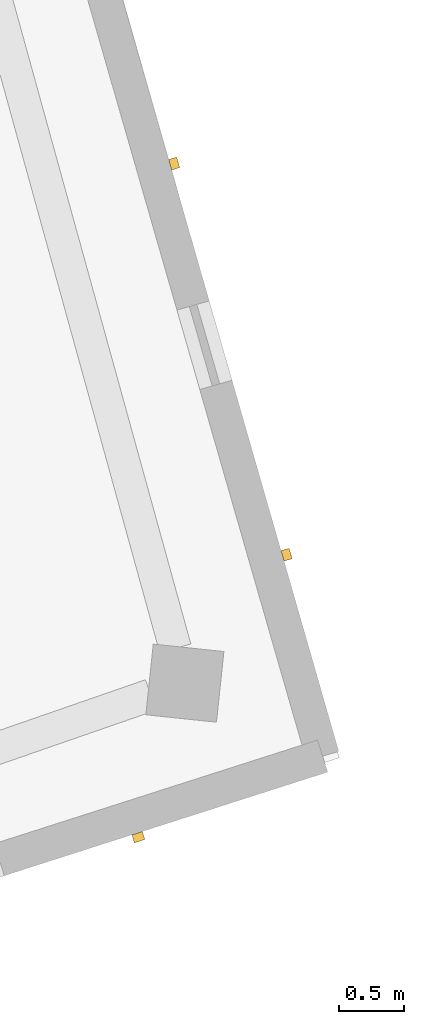
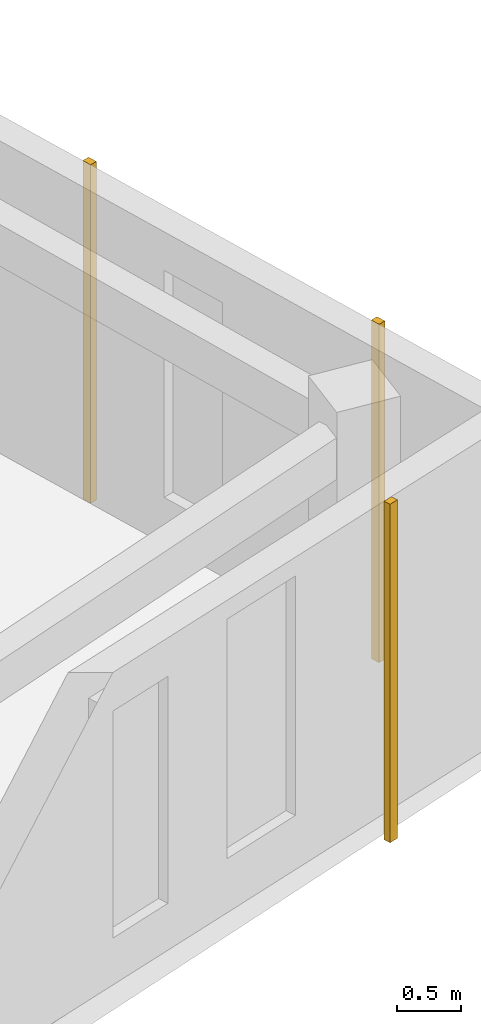
# One storey, part 66 of 68: 3 coverings.
"""IFC4 building model written with IfcOpenShell, lengths in metres."""

from ifc_helpers import new_model, si_unit, direction, frame, origin, origin_2d, place, context, subcontext, project, spatial, rectangle, extrude, material, layer, layer_set, type_object, element, save


model = new_model("IFC4")

# Units and contexts
model_context = context("Model", 3, precision=1e-05, world=origin(), true_north=direction((0.0, 1.0)))
body_context = subcontext(model_context, "Body", "Model", "MODEL_VIEW")
ifc_project = project(units=[si_unit("LENGTHUNIT", "METRE"), si_unit("AREAUNIT", "SQUARE_METRE"), si_unit("VOLUMEUNIT", "CUBIC_METRE"), si_unit("PLANEANGLEUNIT", "RADIAN"), si_unit("MASSUNIT", "GRAM", prefix="KILO")], contexts=[model_context])

# Site, building, storey
site_placement = place(None, origin())
site = spatial("IfcSite", under=ifc_project, at=site_placement, CompositionType="ELEMENT")
building_placement = place(site_placement, origin())
building = spatial("IfcBuilding", under=site, at=building_placement, Name="Kestramere Prow Commons", CompositionType="ELEMENT")
storey_placement = place(building_placement, frame((0.0, 0.0, 18.14990234375)))
storey = spatial("IfcBuildingStorey", under=building, at=storey_placement, Name="L05", CompositionType="ELEMENT", Elevation=18.14990234375)

# Coverings
ifc_material = material(Name="Weathered Zinc-Titanium Standing-Seam Cladding")
ifc_layer = layer(ifc_material, 0.074951171875)
ifc_layer_set = layer_set([ifc_layer], Name="Weathered Zinc-Titanium Standing-Seam Cladding")
covering_type = type_object("IfcCoveringType", Name="COV-CLAD-SEAM", PredefinedType="CLADDING", material=ifc_layer_set)
for number, where, z_axis, x_axis, name in (
    (1, (164.437255859375, 96.159423828125, -0.25), (0.0, 0.0, 1.0), (0.27631844013, -0.961066136977, 0.0), "EW-B-L05-PRW-N Standing-Seam Rib 9"),
    (2, (165.307861328125, 93.131103515625, -0.25), (0.0, 0.0, 1.0), (0.27631844013, -0.961066136977, 0.0), "EW-B-L05-PRW-N Standing-Seam Rib 11"),
    (3, (164.16015625, 90.94384765625, -0.25), (0.0, 0.0, 1.0), (-0.952283464374, -0.305215011884, 0.0), "EW-B-L05-PRW-S Standing-Seam Rib 1"),
):
    element("IfcCovering", number, at=place(storey_placement, frame(where, z_axis=z_axis, x_axis=x_axis)), inside=storey, type_object=covering_type, Name=name, PredefinedType="CLADDING", context=body_context, shape_type="SweptSolid", body=[
        extrude(rectangle(XDim=0.0849609375, YDim=0.06494140625, at=origin_2d()), origin(), (0.0, 0.0, 1.0), 3.25),
    ])

save(model, "model.ifc")
